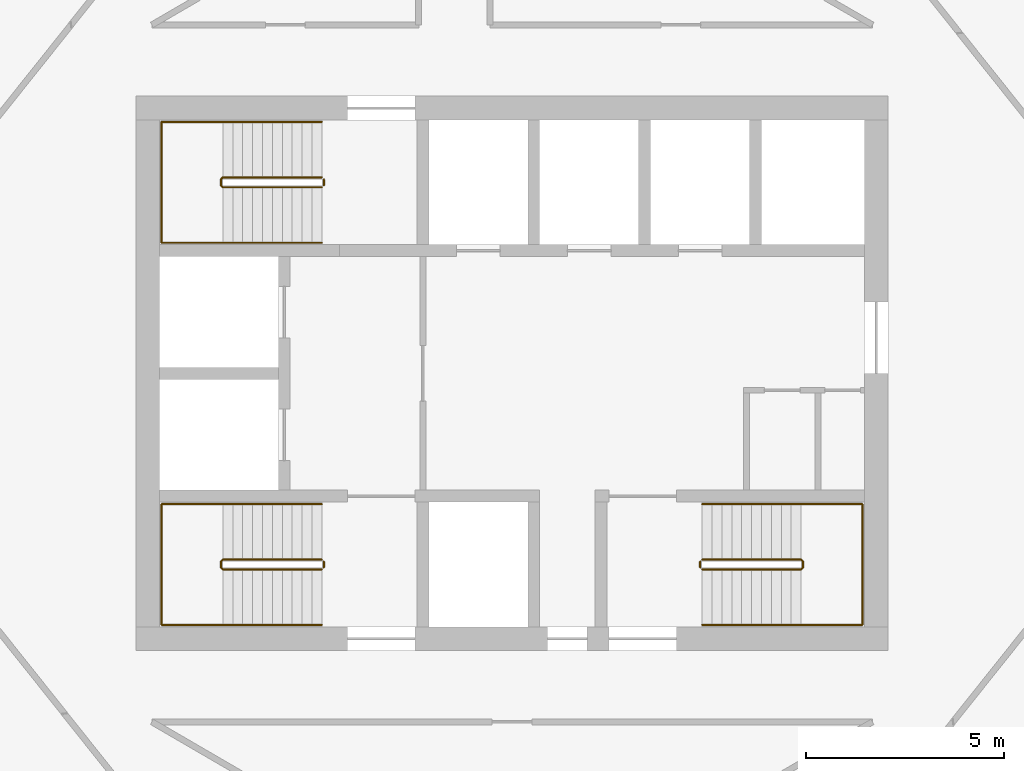
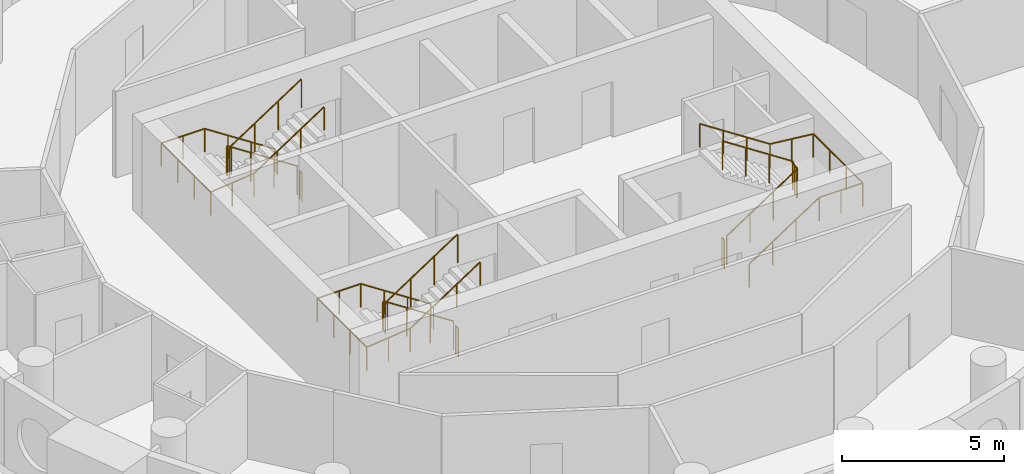
# One storey, part 12 of 12: 9 railings.
"""IFC4 building model written with IfcOpenShell, lengths in metres."""

from ifc_helpers import new_model, si_unit, direction, frame, origin, origin_2d, place, context, subcontext, project, spatial, circle, extrude, material, type_object, element, save


model = new_model("IFC4")

# Units and contexts
model_context = context("Model", 3, precision=1e-05, world=origin(), true_north=direction((0.0, 1.0)))
body_context = subcontext(model_context, "Body", "Model", "MODEL_VIEW")
ifc_project = project(units=[si_unit("LENGTHUNIT", "METRE"), si_unit("AREAUNIT", "SQUARE_METRE"), si_unit("VOLUMEUNIT", "CUBIC_METRE"), si_unit("PLANEANGLEUNIT", "RADIAN"), si_unit("MASSUNIT", "GRAM", prefix="KILO")], contexts=[model_context])

# Site, building, storey
site_placement = place(None, origin())
site = spatial("IfcSite", under=ifc_project, at=site_placement, CompositionType="ELEMENT")
building_placement = place(site_placement, origin())
building = spatial("IfcBuilding", under=site, at=building_placement, Name="Tracery Tower", CompositionType="ELEMENT")
storey_placement = place(building_placement, frame((0.0, 0.0, 241.800048828125)))
storey = spatial("IfcBuildingStorey", under=building, at=storey_placement, Name="L62", CompositionType="ELEMENT", Elevation=241.800048828125)

# Railings
ifc_material_1 = material(Name="Stainless steel and laminated glass", Category="steel")
railing_type_1 = type_object("IfcRailingType", Name="Stair guard 1100", PredefinedType="GUARDRAIL", material=ifc_material_1)
railing_1_placement = place(storey_placement, frame((-4.800048828125, -4.699951171875, 0.16357421875)))
element("IfcRailing", 1, at=railing_1_placement, inside=storey, type_object=railing_type_1, Name="L62 stair ST1 guard 1", PredefinedType="GUARDRAIL", context=body_context, shape_type="SweptSolid", body=[
    extrude(circle(Radius=0.02392578125, at=origin_2d()), frame((0.0, 0.0, 1.076171875), z_axis=(-0.83668449804, 0.0, 0.54768517484), x_axis=(0.0, -1.0, 0.0)), (0.0, 0.0, 1.0), 2.988037109375),
    extrude(circle(Radius=0.02392578125, at=origin_2d()), frame((-2.5, 0.0, 2.71240234375), z_axis=(-0.707106781187, -0.707106781187, 0.0), x_axis=(0.707106781187, -0.707106781187, 0.0)), (0.0, 0.0, 1.0), 0.07080078125),
    extrude(circle(Radius=0.02392578125, at=origin_2d()), frame((-2.550048828125, -0.050048828125, 2.71240234375), z_axis=(0.0, -1.0, 0.0), x_axis=(1.0, 0.0, 0.0)), (0.0, 0.0, 1.0), 0.14990234375),
    extrude(circle(Radius=0.02392578125, at=origin_2d()), frame((-2.550048828125, -0.199951171875, 2.71240234375), z_axis=(0.280808744504, -0.280808744504, 0.917765164963), x_axis=(0.707106781187, 0.707106781187, 0.0)), (0.0, 0.0, 1.0), 0.17822265625),
    extrude(circle(Radius=0.02392578125, at=origin_2d()), frame((-2.5, -0.25, 2.8759765625), z_axis=(0.836721939367, 0.0, 0.547627972425), x_axis=(0.0, 1.0, 0.0)), (0.0, 0.0, 1.0), 2.98779296875),
    extrude(circle(Radius=0.02099609375, at=origin_2d()), origin(), (0.0, 0.0, 1.0), 1.052001953125),
    extrude(circle(Radius=0.02099609375, at=origin_2d()), frame((-0.833251953125, 0.0, 0.54541015625)), (0.0, 0.0, 1.0), 1.052001953125),
    extrude(circle(Radius=0.02099609375, at=origin_2d()), frame((-1.666748046875, 0.0, 1.091064453125)), (0.0, 0.0, 1.0), 1.052001953125),
    extrude(circle(Radius=0.02099609375, at=origin_2d()), frame((-2.5, 0.0, 1.636474609375)), (0.0, 0.0, 1.0), 1.052001953125),
    extrude(circle(Radius=0.02099609375, at=origin_2d()), frame((-2.550048828125, -0.050048828125, 1.636474609375)), (0.0, 0.0, 1.0), 1.052001953125),
    extrude(circle(Radius=0.02099609375, at=origin_2d()), frame((-2.550048828125, -0.199951171875, 1.636474609375)), (0.0, 0.0, 1.0), 1.052001953125),
    extrude(circle(Radius=0.02099609375, at=origin_2d()), frame((-2.5, -0.25, 1.800048828125)), (0.0, 0.0, 1.0), 1.052001953125),
    extrude(circle(Radius=0.02099609375, at=origin_2d()), frame((-1.666748046875, -0.25, 2.345458984375)), (0.0, 0.0, 1.0), 1.052001953125),
    extrude(circle(Radius=0.02099609375, at=origin_2d()), frame((-0.833251953125, -0.25, 2.890869140625)), (0.0, 0.0, 1.0), 1.052001953125),
    extrude(circle(Radius=0.02099609375, at=origin_2d()), frame((0.0, -0.25, 3.436279296875)), (0.0, 0.0, 1.0), 1.052001953125),
])
railing_2_placement = place(storey_placement, frame((-4.75, -4.75, 0.0)))
element("IfcRailing", 2, at=railing_2_placement, inside=storey, type_object=railing_type_1, Name="L62 stair ST1 guard 2", PredefinedType="GUARDRAIL", context=body_context, shape_type="SweptSolid", body=[
    extrude(circle(Radius=0.02392578125, at=origin_2d()), frame((0.0, 0.0, 1.076171875), z_axis=(0.0, -1.0, 0.0), x_axis=(1.0, 0.0, 0.0)), (0.0, 0.0, 1.0), 0.14990234375),
    extrude(circle(Radius=0.02099609375, at=origin_2d()), origin(), (0.0, 0.0, 1.0), 1.052001953125),
    extrude(circle(Radius=0.02099609375, at=origin_2d()), frame((0.0, -0.14990234375, 0.0)), (0.0, 0.0, 1.0), 1.052001953125),
])
railing_3_placement = place(storey_placement, frame((-4.800048828125, 4.949951171875, 0.16357421875)))
element("IfcRailing", 3, at=railing_3_placement, inside=storey, type_object=railing_type_1, Name="L62 stair ST3 guard 1", PredefinedType="GUARDRAIL", context=body_context, shape_type="SweptSolid", body=[
    extrude(circle(Radius=0.02392578125, at=origin_2d()), frame((0.0, 0.0, 1.076171875), z_axis=(-0.83668449804, 0.0, 0.54768517484), x_axis=(0.0, -1.0, 0.0)), (0.0, 0.0, 1.0), 2.988037109375),
    extrude(circle(Radius=0.02392578125, at=origin_2d()), frame((-2.5, 0.0, 2.71240234375), z_axis=(-0.707106781187, -0.707106781187, 0.0), x_axis=(0.707106781187, -0.707106781187, 0.0)), (0.0, 0.0, 1.0), 0.07080078125),
    extrude(circle(Radius=0.02392578125, at=origin_2d()), frame((-2.550048828125, -0.050048828125, 2.71240234375), z_axis=(0.0, -1.0, 0.0), x_axis=(1.0, 0.0, 0.0)), (0.0, 0.0, 1.0), 0.14990234375),
    extrude(circle(Radius=0.02392578125, at=origin_2d()), frame((-2.550048828125, -0.199951171875, 2.71240234375), z_axis=(0.280808744504, -0.280808744504, 0.917765164963), x_axis=(0.707106781187, 0.707106781187, 0.0)), (0.0, 0.0, 1.0), 0.17822265625),
    extrude(circle(Radius=0.02392578125, at=origin_2d()), frame((-2.5, -0.25, 2.8759765625), z_axis=(0.836721939367, 0.0, 0.547627972425), x_axis=(0.0, 1.0, 0.0)), (0.0, 0.0, 1.0), 2.98779296875),
    extrude(circle(Radius=0.02099609375, at=origin_2d()), origin(), (0.0, 0.0, 1.0), 1.052001953125),
    extrude(circle(Radius=0.02099609375, at=origin_2d()), frame((-0.833251953125, 0.0, 0.54541015625)), (0.0, 0.0, 1.0), 1.052001953125),
    extrude(circle(Radius=0.02099609375, at=origin_2d()), frame((-1.666748046875, 0.0, 1.091064453125)), (0.0, 0.0, 1.0), 1.052001953125),
    extrude(circle(Radius=0.02099609375, at=origin_2d()), frame((-2.5, 0.0, 1.636474609375)), (0.0, 0.0, 1.0), 1.052001953125),
    extrude(circle(Radius=0.02099609375, at=origin_2d()), frame((-2.550048828125, -0.050048828125, 1.636474609375)), (0.0, 0.0, 1.0), 1.052001953125),
    extrude(circle(Radius=0.02099609375, at=origin_2d()), frame((-2.550048828125, -0.199951171875, 1.636474609375)), (0.0, 0.0, 1.0), 1.052001953125),
    extrude(circle(Radius=0.02099609375, at=origin_2d()), frame((-2.5, -0.25, 1.800048828125)), (0.0, 0.0, 1.0), 1.052001953125),
    extrude(circle(Radius=0.02099609375, at=origin_2d()), frame((-1.666748046875, -0.25, 2.345458984375)), (0.0, 0.0, 1.0), 1.052001953125),
    extrude(circle(Radius=0.02099609375, at=origin_2d()), frame((-0.833251953125, -0.25, 2.890869140625)), (0.0, 0.0, 1.0), 1.052001953125),
    extrude(circle(Radius=0.02099609375, at=origin_2d()), frame((0.0, -0.25, 3.436279296875)), (0.0, 0.0, 1.0), 1.052001953125),
])
railing_4_placement = place(storey_placement, frame((-4.75, 4.89990234375, 0.0)))
element("IfcRailing", 4, at=railing_4_placement, inside=storey, type_object=railing_type_1, Name="L62 stair ST3 guard 2", PredefinedType="GUARDRAIL", context=body_context, shape_type="SweptSolid", body=[
    extrude(circle(Radius=0.02392578125, at=origin_2d()), frame((0.0, 0.0, 1.076171875), z_axis=(0.0, -1.0, 0.0), x_axis=(1.0, 0.0, 0.0)), (0.0, 0.0, 1.0), 0.14990234375),
    extrude(circle(Radius=0.02099609375, at=origin_2d()), origin(), (0.0, 0.0, 1.0), 1.052001953125),
    extrude(circle(Radius=0.02099609375, at=origin_2d()), frame((0.0, -0.14990234375, 0.0)), (0.0, 0.0, 1.0), 1.052001953125),
])
railing_5_placement = place(storey_placement, frame((4.800048828125, -4.949951171875, 0.16357421875)))
element("IfcRailing", 5, at=railing_5_placement, inside=storey, type_object=railing_type_1, Name="L62 stair ST2 guard 1", PredefinedType="GUARDRAIL", context=body_context, shape_type="SweptSolid", body=[
    extrude(circle(Radius=0.02392578125, at=origin_2d()), frame((0.0, 0.0, 1.076171875), z_axis=(0.83668449804, 0.0, 0.54768517484), x_axis=(0.0, 1.0, 0.0)), (0.0, 0.0, 1.0), 2.988037109375),
    extrude(circle(Radius=0.02392578125, at=origin_2d()), frame((2.5, 0.0, 2.71240234375), z_axis=(0.707106781187, 0.707106781187, 0.0), x_axis=(-0.707106781187, 0.707106781187, 0.0)), (0.0, 0.0, 1.0), 0.07080078125),
    extrude(circle(Radius=0.02392578125, at=origin_2d()), frame((2.550048828125, 0.050048828125, 2.71240234375), z_axis=(0.0, 1.0, 0.0), x_axis=(-1.0, 0.0, 0.0)), (0.0, 0.0, 1.0), 0.14990234375),
    extrude(circle(Radius=0.02392578125, at=origin_2d()), frame((2.550048828125, 0.199951171875, 2.71240234375), z_axis=(-0.280808744504, 0.280808744504, 0.917765164963), x_axis=(-0.707106781187, -0.707106781187, 0.0)), (0.0, 0.0, 1.0), 0.17822265625),
    extrude(circle(Radius=0.02392578125, at=origin_2d()), frame((2.5, 0.25, 2.8759765625), z_axis=(-0.836721939367, 0.0, 0.547627972425), x_axis=(0.0, -1.0, 0.0)), (0.0, 0.0, 1.0), 2.98779296875),
    extrude(circle(Radius=0.02099609375, at=origin_2d()), origin(), (0.0, 0.0, 1.0), 1.052001953125),
    extrude(circle(Radius=0.02099609375, at=origin_2d()), frame((0.833251953125, 0.0, 0.54541015625)), (0.0, 0.0, 1.0), 1.052001953125),
    extrude(circle(Radius=0.02099609375, at=origin_2d()), frame((1.666748046875, 0.0, 1.091064453125)), (0.0, 0.0, 1.0), 1.052001953125),
    extrude(circle(Radius=0.02099609375, at=origin_2d()), frame((2.5, 0.0, 1.636474609375)), (0.0, 0.0, 1.0), 1.052001953125),
    extrude(circle(Radius=0.02099609375, at=origin_2d()), frame((2.550048828125, 0.050048828125, 1.636474609375)), (0.0, 0.0, 1.0), 1.052001953125),
    extrude(circle(Radius=0.02099609375, at=origin_2d()), frame((2.550048828125, 0.199951171875, 1.636474609375)), (0.0, 0.0, 1.0), 1.052001953125),
    extrude(circle(Radius=0.02099609375, at=origin_2d()), frame((2.5, 0.25, 1.800048828125)), (0.0, 0.0, 1.0), 1.052001953125),
    extrude(circle(Radius=0.02099609375, at=origin_2d()), frame((1.666748046875, 0.25, 2.345458984375)), (0.0, 0.0, 1.0), 1.052001953125),
    extrude(circle(Radius=0.02099609375, at=origin_2d()), frame((0.833251953125, 0.25, 2.890869140625)), (0.0, 0.0, 1.0), 1.052001953125),
    extrude(circle(Radius=0.02099609375, at=origin_2d()), frame((0.0, 0.25, 3.436279296875)), (0.0, 0.0, 1.0), 1.052001953125),
])
railing_6_placement = place(storey_placement, frame((4.75, -4.89990234375, 0.0)))
element("IfcRailing", 6, at=railing_6_placement, inside=storey, type_object=railing_type_1, Name="L62 stair ST2 guard 2", PredefinedType="GUARDRAIL", context=body_context, shape_type="SweptSolid", body=[
    extrude(circle(Radius=0.02392578125, at=origin_2d()), frame((0.0, 0.0, 1.076171875), z_axis=(0.0, 1.0, 0.0), x_axis=(-1.0, 0.0, 0.0)), (0.0, 0.0, 1.0), 0.14990234375),
    extrude(circle(Radius=0.02099609375, at=origin_2d()), origin(), (0.0, 0.0, 1.0), 1.052001953125),
    extrude(circle(Radius=0.02099609375, at=origin_2d()), frame((0.0, 0.14990234375, 0.0)), (0.0, 0.0, 1.0), 1.052001953125),
])
ifc_material_2 = material(Name="Stainless steel and laminated glass", Category="steel")
railing_type_2 = type_object("IfcRailingType", Name="Stair handrail 900", PredefinedType="HANDRAIL", material=ifc_material_2)
railing_7_placement = place(storey_placement, frame((-4.800048828125, -3.300048828125, 0.16357421875)))
element("IfcRailing", 7, at=railing_7_placement, inside=storey, type_object=railing_type_2, Name="L62 stair ST1 handrail 1", PredefinedType="HANDRAIL", context=body_context, shape_type="SweptSolid", body=[
    extrude(circle(Radius=0.02392578125, at=origin_2d()), frame((0.0, 0.0, 0.8759765625), z_axis=(-0.83668449804, 0.0, 0.54768517484), x_axis=(0.0, -1.0, 0.0)), (0.0, 0.0, 1.0), 2.988037109375),
    extrude(circle(Radius=0.02392578125, at=origin_2d()), frame((-2.5, 0.0, 2.51220703125), z_axis=(-1.0, 0.0, 0.0), x_axis=(0.0, -1.0, 0.0)), (0.0, 0.0, 1.0), 1.550048828125),
    extrude(circle(Radius=0.02392578125, at=origin_2d()), frame((-4.050048828125, 0.0, 2.51220703125), z_axis=(0.0, -1.0, 0.0), x_axis=(1.0, 0.0, 0.0)), (0.0, 0.0, 1.0), 3.050048828125),
    extrude(circle(Radius=0.02392578125, at=origin_2d()), frame((-4.050048828125, -3.050048828125, 2.51220703125), z_axis=(0.994477953863, 0.0, 0.104945696817), x_axis=(0.0, 1.0, 0.0)), (0.0, 0.0, 1.0), 1.55859375),
    extrude(circle(Radius=0.02392578125, at=origin_2d()), frame((-2.5, -3.050048828125, 2.67578125), z_axis=(0.836721939367, 0.0, 0.547627972425), x_axis=(0.0, 1.0, 0.0)), (0.0, 0.0, 1.0), 2.98779296875),
    extrude(circle(Radius=0.02099609375, at=origin_2d()), origin(), (0.0, 0.0, 1.0), 0.851806640625),
    extrude(circle(Radius=0.02099609375, at=origin_2d()), frame((-0.833251953125, 0.0, 0.54541015625)), (0.0, 0.0, 1.0), 0.851806640625),
    extrude(circle(Radius=0.02099609375, at=origin_2d()), frame((-1.666748046875, 0.0, 1.091064453125)), (0.0, 0.0, 1.0), 0.851806640625),
    extrude(circle(Radius=0.02099609375, at=origin_2d()), frame((-2.5, 0.0, 1.636474609375)), (0.0, 0.0, 1.0), 0.851806640625),
    extrude(circle(Radius=0.02099609375, at=origin_2d()), frame((-3.27490234375, 0.0, 1.636474609375)), (0.0, 0.0, 1.0), 0.851806640625),
    extrude(circle(Radius=0.02099609375, at=origin_2d()), frame((-4.050048828125, 0.0, 1.636474609375)), (0.0, 0.0, 1.0), 0.851806640625),
    extrude(circle(Radius=0.02099609375, at=origin_2d()), frame((-4.050048828125, -1.0166015625, 1.636474609375)), (0.0, 0.0, 1.0), 0.851806640625),
    extrude(circle(Radius=0.02099609375, at=origin_2d()), frame((-4.050048828125, -2.033447265625, 1.636474609375)), (0.0, 0.0, 1.0), 0.851806640625),
    extrude(circle(Radius=0.02099609375, at=origin_2d()), frame((-4.050048828125, -3.050048828125, 1.636474609375)), (0.0, 0.0, 1.0), 0.851806640625),
    extrude(circle(Radius=0.02099609375, at=origin_2d()), frame((-3.27490234375, -3.050048828125, 1.71826171875)), (0.0, 0.0, 1.0), 0.851806640625),
    extrude(circle(Radius=0.02099609375, at=origin_2d()), frame((-2.5, -3.050048828125, 1.800048828125)), (0.0, 0.0, 1.0), 0.851806640625),
    extrude(circle(Radius=0.02099609375, at=origin_2d()), frame((-1.666748046875, -3.050048828125, 2.345458984375)), (0.0, 0.0, 1.0), 0.851806640625),
    extrude(circle(Radius=0.02099609375, at=origin_2d()), frame((-0.833251953125, -3.050048828125, 2.890869140625)), (0.0, 0.0, 1.0), 0.851806640625),
    extrude(circle(Radius=0.02099609375, at=origin_2d()), frame((0.0, -3.050048828125, 3.436279296875)), (0.0, 0.0, 1.0), 0.851806640625),
])
railing_8_placement = place(storey_placement, frame((-4.800048828125, 6.35009765625, 0.16357421875)))
element("IfcRailing", 8, at=railing_8_placement, inside=storey, type_object=railing_type_2, Name="L62 stair ST3 handrail 1", PredefinedType="HANDRAIL", context=body_context, shape_type="SweptSolid", body=[
    extrude(circle(Radius=0.02392578125, at=origin_2d()), frame((0.0, 0.0, 0.8759765625), z_axis=(-0.83668449804, 0.0, 0.54768517484), x_axis=(0.0, -1.0, 0.0)), (0.0, 0.0, 1.0), 2.988037109375),
    extrude(circle(Radius=0.02392578125, at=origin_2d()), frame((-2.5, 0.0, 2.51220703125), z_axis=(-1.0, 0.0, 0.0), x_axis=(0.0, -1.0, 0.0)), (0.0, 0.0, 1.0), 1.550048828125),
    extrude(circle(Radius=0.02392578125, at=origin_2d()), frame((-4.050048828125, 0.0, 2.51220703125), z_axis=(0.0, -1.0, 0.0), x_axis=(1.0, 0.0, 0.0)), (0.0, 0.0, 1.0), 3.050048828125),
    extrude(circle(Radius=0.02392578125, at=origin_2d()), frame((-4.050048828125, -3.050048828125, 2.51220703125), z_axis=(0.994477953863, 0.0, 0.104945696817), x_axis=(0.0, 1.0, 0.0)), (0.0, 0.0, 1.0), 1.55859375),
    extrude(circle(Radius=0.02392578125, at=origin_2d()), frame((-2.5, -3.050048828125, 2.67578125), z_axis=(0.836721939367, 0.0, 0.547627972425), x_axis=(0.0, 1.0, 0.0)), (0.0, 0.0, 1.0), 2.98779296875),
    extrude(circle(Radius=0.02099609375, at=origin_2d()), origin(), (0.0, 0.0, 1.0), 0.851806640625),
    extrude(circle(Radius=0.02099609375, at=origin_2d()), frame((-0.833251953125, 0.0, 0.54541015625)), (0.0, 0.0, 1.0), 0.851806640625),
    extrude(circle(Radius=0.02099609375, at=origin_2d()), frame((-1.666748046875, 0.0, 1.091064453125)), (0.0, 0.0, 1.0), 0.851806640625),
    extrude(circle(Radius=0.02099609375, at=origin_2d()), frame((-2.5, 0.0, 1.636474609375)), (0.0, 0.0, 1.0), 0.851806640625),
    extrude(circle(Radius=0.02099609375, at=origin_2d()), frame((-3.27490234375, 0.0, 1.636474609375)), (0.0, 0.0, 1.0), 0.851806640625),
    extrude(circle(Radius=0.02099609375, at=origin_2d()), frame((-4.050048828125, 0.0, 1.636474609375)), (0.0, 0.0, 1.0), 0.851806640625),
    extrude(circle(Radius=0.02099609375, at=origin_2d()), frame((-4.050048828125, -1.0166015625, 1.636474609375)), (0.0, 0.0, 1.0), 0.851806640625),
    extrude(circle(Radius=0.02099609375, at=origin_2d()), frame((-4.050048828125, -2.033447265625, 1.636474609375)), (0.0, 0.0, 1.0), 0.851806640625),
    extrude(circle(Radius=0.02099609375, at=origin_2d()), frame((-4.050048828125, -3.050048828125, 1.636474609375)), (0.0, 0.0, 1.0), 0.851806640625),
    extrude(circle(Radius=0.02099609375, at=origin_2d()), frame((-3.27490234375, -3.050048828125, 1.71826171875)), (0.0, 0.0, 1.0), 0.851806640625),
    extrude(circle(Radius=0.02099609375, at=origin_2d()), frame((-2.5, -3.050048828125, 1.800048828125)), (0.0, 0.0, 1.0), 0.851806640625),
    extrude(circle(Radius=0.02099609375, at=origin_2d()), frame((-1.666748046875, -3.050048828125, 2.345458984375)), (0.0, 0.0, 1.0), 0.851806640625),
    extrude(circle(Radius=0.02099609375, at=origin_2d()), frame((-0.833251953125, -3.050048828125, 2.890869140625)), (0.0, 0.0, 1.0), 0.851806640625),
    extrude(circle(Radius=0.02099609375, at=origin_2d()), frame((0.0, -3.050048828125, 3.436279296875)), (0.0, 0.0, 1.0), 0.851806640625),
])
railing_9_placement = place(storey_placement, frame((4.800048828125, -6.35009765625, 0.16357421875)))
element("IfcRailing", 9, at=railing_9_placement, inside=storey, type_object=railing_type_2, Name="L62 stair ST2 handrail 1", PredefinedType="HANDRAIL", context=body_context, shape_type="SweptSolid", body=[
    extrude(circle(Radius=0.02392578125, at=origin_2d()), frame((0.0, 0.0, 0.8759765625), z_axis=(0.83668449804, 0.0, 0.54768517484), x_axis=(0.0, 1.0, 0.0)), (0.0, 0.0, 1.0), 2.988037109375),
    extrude(circle(Radius=0.02392578125, at=origin_2d()), frame((2.5, 0.0, 2.51220703125), z_axis=(1.0, 0.0, 0.0), x_axis=(0.0, 1.0, 0.0)), (0.0, 0.0, 1.0), 1.550048828125),
    extrude(circle(Radius=0.02392578125, at=origin_2d()), frame((4.050048828125, 0.0, 2.51220703125), z_axis=(0.0, 1.0, 0.0), x_axis=(-1.0, 0.0, 0.0)), (0.0, 0.0, 1.0), 3.050048828125),
    extrude(circle(Radius=0.02392578125, at=origin_2d()), frame((4.050048828125, 3.050048828125, 2.51220703125), z_axis=(-0.994477953863, 0.0, 0.104945696817), x_axis=(0.0, -1.0, 0.0)), (0.0, 0.0, 1.0), 1.55859375),
    extrude(circle(Radius=0.02392578125, at=origin_2d()), frame((2.5, 3.050048828125, 2.67578125), z_axis=(-0.836721939367, 0.0, 0.547627972425), x_axis=(0.0, -1.0, 0.0)), (0.0, 0.0, 1.0), 2.98779296875),
    extrude(circle(Radius=0.02099609375, at=origin_2d()), origin(), (0.0, 0.0, 1.0), 0.851806640625),
    extrude(circle(Radius=0.02099609375, at=origin_2d()), frame((0.833251953125, 0.0, 0.54541015625)), (0.0, 0.0, 1.0), 0.851806640625),
    extrude(circle(Radius=0.02099609375, at=origin_2d()), frame((1.666748046875, 0.0, 1.091064453125)), (0.0, 0.0, 1.0), 0.851806640625),
    extrude(circle(Radius=0.02099609375, at=origin_2d()), frame((2.5, 0.0, 1.636474609375)), (0.0, 0.0, 1.0), 0.851806640625),
    extrude(circle(Radius=0.02099609375, at=origin_2d()), frame((3.27490234375, 0.0, 1.636474609375)), (0.0, 0.0, 1.0), 0.851806640625),
    extrude(circle(Radius=0.02099609375, at=origin_2d()), frame((4.050048828125, 0.0, 1.636474609375)), (0.0, 0.0, 1.0), 0.851806640625),
    extrude(circle(Radius=0.02099609375, at=origin_2d()), frame((4.050048828125, 1.0166015625, 1.636474609375)), (0.0, 0.0, 1.0), 0.851806640625),
    extrude(circle(Radius=0.02099609375, at=origin_2d()), frame((4.050048828125, 2.033447265625, 1.636474609375)), (0.0, 0.0, 1.0), 0.851806640625),
    extrude(circle(Radius=0.02099609375, at=origin_2d()), frame((4.050048828125, 3.050048828125, 1.636474609375)), (0.0, 0.0, 1.0), 0.851806640625),
    extrude(circle(Radius=0.02099609375, at=origin_2d()), frame((3.27490234375, 3.050048828125, 1.71826171875)), (0.0, 0.0, 1.0), 0.851806640625),
    extrude(circle(Radius=0.02099609375, at=origin_2d()), frame((2.5, 3.050048828125, 1.800048828125)), (0.0, 0.0, 1.0), 0.851806640625),
    extrude(circle(Radius=0.02099609375, at=origin_2d()), frame((1.666748046875, 3.050048828125, 2.345458984375)), (0.0, 0.0, 1.0), 0.851806640625),
    extrude(circle(Radius=0.02099609375, at=origin_2d()), frame((0.833251953125, 3.050048828125, 2.890869140625)), (0.0, 0.0, 1.0), 0.851806640625),
    extrude(circle(Radius=0.02099609375, at=origin_2d()), frame((0.0, 3.050048828125, 3.436279296875)), (0.0, 0.0, 1.0), 0.851806640625),
])

save(model, "model.ifc")
